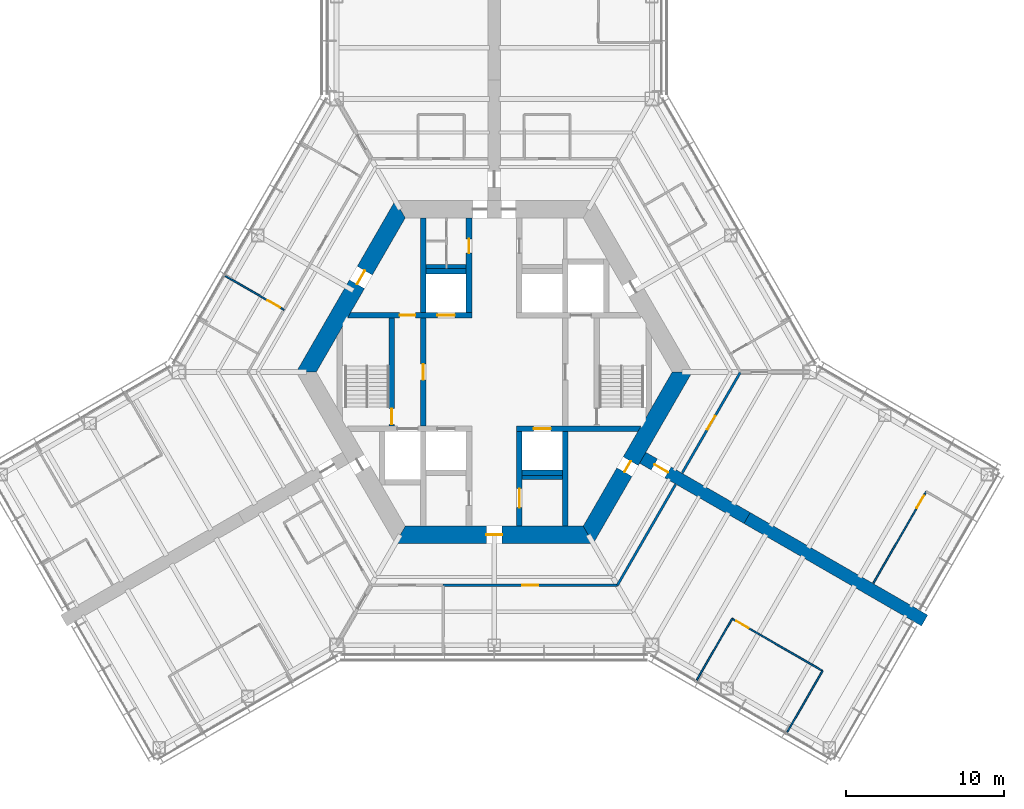
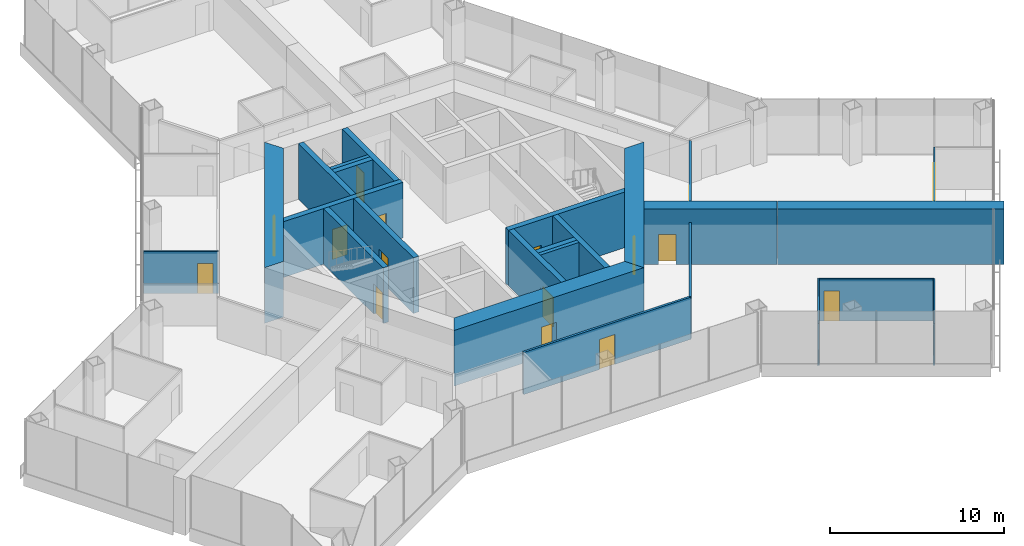
# One storey, part 13 of 18: 25 walls, 16 doors, 16 openings.
"""IFC4 building model written with IfcOpenShell, lengths in metres."""

from ifc_helpers import new_model, si_unit, direction, frame, frame_2d, origin, place, context, subcontext, project, spatial, polyline, rectangle, outline, extrude, material, layer, layer_set, type_object, element, fill, save


model = new_model("IFC4")

# Units and contexts
model_context = context("Model", 3, precision=1e-05, world=origin(), true_north=direction((0.0, 1.0)))
body_context = subcontext(model_context, "Body", "Model", "MODEL_VIEW")
ifc_project = project(units=[si_unit("LENGTHUNIT", "METRE"), si_unit("AREAUNIT", "SQUARE_METRE"), si_unit("VOLUMEUNIT", "CUBIC_METRE"), si_unit("PLANEANGLEUNIT", "RADIAN"), si_unit("MASSUNIT", "GRAM", prefix="KILO")], contexts=[model_context])

# Site, building, storey
site_placement = place(None, origin())
site = spatial("IfcSite", under=ifc_project, at=site_placement, CompositionType="ELEMENT")
building_placement = place(site_placement, origin())
building = spatial("IfcBuilding", under=site, at=building_placement, Name="Kasaneha Research Tower", CompositionType="ELEMENT")
storey_placement = place(building_placement, frame((0.0, 0.0, 72.89990234375)))
storey = spatial("IfcBuildingStorey", under=building, at=storey_placement, Name="L18", CompositionType="ELEMENT", Elevation=72.89990234375)

# Wall, openings, doors
ifc_material_1 = material(Name="Concrete Fc80", Category="concrete")
ifc_layer_1 = layer(ifc_material_1, 0.35009765625)
ifc_layer_set_1 = layer_set([ifc_layer_1], Name="Core internal wall 350 Fc80")
wall_type_1 = type_object("IfcWallType", Name="Core internal wall 350 Fc80", PredefinedType="SHEAR", material=ifc_layer_set_1)
wall_1_placement = place(storey_placement, frame((-9.208740234375, 3.60009765625, 0.0), z_axis=(0.0, 0.0, 1.0), x_axis=(1.0, 0.0, 0.0)))
wall_1 = element("IfcWall", 1, at=wall_1_placement, inside=storey, type_object=wall_type_1, Name="Core wall W1W L18", PredefinedType="SHEAR", context=body_context, shape_type="SweptSolid", body=[
    extrude(outline(polyline([(-0.10107421875, -0.175048828125), (3.208740234375, -0.175048828125), (4.208740234375, -0.175048828125), (5.608642578125, -0.175048828125), (6.708740234375, -0.175048828125), (7.78369140625, -0.175048828125), (7.78369140625, 0.175048828125), (6.708740234375, 0.175048828125), (5.608642578125, 0.175048828125), (4.208740234375, 0.175048828125), (3.208740234375, 0.175048828125), (0.10107421875, 0.175048828125), (-0.10107421875, -0.175048828125)])), origin(), (0.0, 0.0, 1.0), 3.900146484375),
])
opening_1_placement = place(wall_1_placement, frame((3.208740234375, 0.0, 0.0)))
opening_1 = element("IfcOpeningElement", 2, at=opening_1_placement, cuts=wall_1, Name="Opening L18-D12", PredefinedType="OPENING", context=body_context, shape_type="SweptSolid", body=[
    extrude(rectangle(XDim=1.0, YDim=2.10009765625, at=frame_2d((0.5, 1.050048828125))), frame((0.0, 0.18505859375, 0.0), z_axis=(0.0, -1.0, 0.0), x_axis=(1.0, 0.0, 0.0)), (0.0, 0.0, 1.0), 0.3701171875),
])
opening_2_placement = place(wall_1_placement, frame((5.608642578125, 0.0, 0.0)))
opening_2 = element("IfcOpeningElement", 3, at=opening_2_placement, cuts=wall_1, Name="Opening LD-LO1-L18", PredefinedType="OPENING", context=body_context, shape_type="SweptSolid", body=[
    extrude(rectangle(XDim=1.10009765625, YDim=2.10009765625, at=frame_2d((0.550048828125, 1.050048828125))), frame((0.0, 0.18505859375, 0.0), z_axis=(0.0, -1.0, 0.0), x_axis=(1.0, 0.0, 0.0)), (0.0, 0.0, 1.0), 0.3701171875),
])
ifc_material_2 = material(Name="Steel", Category="steel")
door_type_1 = type_object("IfcDoorType", Name="Lift landing door 1100x2100", OperationType="DOUBLE_DOOR_SLIDING", PredefinedType="DOOR", material=ifc_material_2)
door_1_placement = place(opening_2_placement, origin())
door_1 = element("IfcDoor", 4, at=door_1_placement, inside=storey, type_object=door_type_1, Name="Landing door LO1 LD-LO1-L18", OperationType="DOUBLE_DOOR_SLIDING", OverallHeight=2.10009765625, OverallWidth=1.10009765625, PredefinedType="DOOR", context=body_context, shape_type="SweptSolid", body=[
    extrude(rectangle(XDim=1.10009765625, YDim=2.10009765625, at=frame_2d((0.550048828125, 1.050048828125))), frame((0.0, 0.02490234375, 0.0), z_axis=(0.0, -1.0, 0.0), x_axis=(1.0, 0.0, 0.0)), (0.0, 0.0, 1.0), 0.050048828125),
])
fill(opening_2, door_1)
ifc_material_3 = material(Name="Steel", Category="steel")
door_type_2 = type_object("IfcDoorType", Name="Specified fire door FD60 1000x2100", OperationType="NOTDEFINED", PredefinedType="DOOR", material=ifc_material_3)
door_2_placement = place(opening_1_placement, origin())
door_2 = element("IfcDoor", 5, at=door_2_placement, inside=storey, type_object=door_type_2, Name="Vestibule to lobby door L18-D12", OperationType="SINGLE_SWING_RIGHT", OverallHeight=2.10009765625, OverallWidth=1.0, PredefinedType="DOOR", context=body_context, shape_type="SweptSolid", body=[
    extrude(rectangle(XDim=1.0, YDim=2.10009765625, at=frame_2d((0.5, 1.050048828125))), frame((0.0, 0.02490234375, 0.0), z_axis=(0.0, -1.0, 0.0), x_axis=(1.0, 0.0, 0.0)), (0.0, 0.0, 1.0), 0.050048828125),
])
fill(opening_1, door_2)

# Wall, opening, door
wall_2_placement = place(storey_placement, frame((1.425048828125, -3.60009765625, 0.0), z_axis=(0.0, 0.0, 1.0), x_axis=(1.0, 0.0, 0.0)))
wall_2 = element("IfcWall", 6, at=wall_2_placement, inside=storey, type_object=wall_type_1, Name="Core wall W2E L18", PredefinedType="SHEAR", context=body_context, shape_type="SweptSolid", body=[
    extrude(outline(polyline([(0.0, -0.175048828125), (1.074951171875, -0.175048828125), (2.175048828125, -0.175048828125), (7.6826171875, -0.175048828125), (7.884765625, 0.175048828125), (2.175048828125, 0.175048828125), (1.074951171875, 0.175048828125), (0.0, 0.175048828125), (0.0, -0.175048828125)])), origin(), (0.0, 0.0, 1.0), 3.900146484375),
])
opening_3_placement = place(wall_2_placement, frame((1.074951171875, 0.0, 0.0)))
opening_3 = element("IfcOpeningElement", 7, at=opening_3_placement, cuts=wall_2, Name="Opening LD-LO3-L18", PredefinedType="OPENING", context=body_context, shape_type="SweptSolid", body=[
    extrude(rectangle(XDim=1.10009765625, YDim=2.10009765625, at=frame_2d((0.550048828125, 1.050048828125))), frame((0.0, 0.18505859375, 0.0), z_axis=(0.0, -1.0, 0.0), x_axis=(1.0, 0.0, 0.0)), (0.0, 0.0, 1.0), 0.3701171875),
])
door_3_placement = place(opening_3_placement, origin())
door_3 = element("IfcDoor", 8, at=door_3_placement, inside=storey, type_object=door_type_1, Name="Landing door LO3 LD-LO3-L18", OperationType="DOUBLE_DOOR_SLIDING", OverallHeight=2.10009765625, OverallWidth=1.10009765625, PredefinedType="DOOR", context=body_context, shape_type="SweptSolid", body=[
    extrude(rectangle(XDim=1.10009765625, YDim=2.10009765625, at=frame_2d((0.550048828125, 1.050048828125))), frame((0.0, 0.02490234375, 0.0), z_axis=(0.0, -1.0, 0.0), x_axis=(1.0, 0.0, 0.0)), (0.0, 0.0, 1.0), 0.050048828125),
])
fill(opening_3, door_3)

wall_3_placement = place(storey_placement, frame((-1.60009765625, 3.77490234375, 0.0), z_axis=(0.0, 0.0, 1.0), x_axis=(0.0, 1.0, 0.0)))
wall_3 = element("IfcWall", 9, at=wall_3_placement, inside=storey, type_object=wall_type_1, Name="Core wall CNW L18", PredefinedType="SHEAR", context=body_context, shape_type="SweptSolid", body=[
    extrude(rectangle(XDim=6.0, YDim=0.35009765625, at=frame_2d((3.0, 0.0))), origin(), (0.0, 0.0, 1.0), 3.900146484375),
])
opening_4_placement = place(wall_3_placement, frame((3.77490234375, 0.0, 0.0)))
opening_4 = element("IfcOpeningElement", 10, at=opening_4_placement, cuts=wall_3, Name="Opening L18-D13", PredefinedType="OPENING", context=body_context, shape_type="SweptSolid", body=[
    extrude(rectangle(XDim=0.89990234375, YDim=2.10009765625, at=frame_2d((0.449951171875, 1.050048828125))), frame((0.0, 0.18505859375, 0.0), z_axis=(0.0, -1.0, 0.0), x_axis=(1.0, 0.0, 0.0)), (0.0, 0.0, 1.0), 0.3701171875),
])
ifc_material_4 = material(Name="Steel", Category="steel")
door_type_3 = type_object("IfcDoorType", Name="Toilet door FD20 900x2100", OperationType="NOTDEFINED", PredefinedType="DOOR", material=ifc_material_4)
door_4_placement = place(opening_4_placement, origin())
door_4 = element("IfcDoor", 11, at=door_4_placement, inside=storey, type_object=door_type_3, Name="Men's WC door L18-D13", OperationType="SINGLE_SWING_LEFT", OverallHeight=2.10009765625, OverallWidth=0.89990234375, PredefinedType="DOOR", context=body_context, shape_type="SweptSolid", body=[
    extrude(rectangle(XDim=0.89990234375, YDim=2.10009765625, at=frame_2d((0.449951171875, 1.050048828125))), frame((0.0, 0.02490234375, 0.0), z_axis=(0.0, -1.0, 0.0), x_axis=(1.0, 0.0, 0.0)), (0.0, 0.0, 1.0), 0.050048828125),
])
fill(opening_4, door_4)

wall_4_placement = place(storey_placement, frame((1.60009765625, -3.77490234375, 0.0), z_axis=(0.0, 0.0, 1.0), x_axis=(0.0, -1.0, 0.0)))
wall_4 = element("IfcWall", 12, at=wall_4_placement, inside=storey, type_object=wall_type_1, Name="Core wall CSE L18", PredefinedType="SHEAR", context=body_context, shape_type="SweptSolid", body=[
    extrude(rectangle(XDim=6.0, YDim=0.35009765625, at=frame_2d((3.0, 0.0))), origin(), (0.0, 0.0, 1.0), 3.900146484375),
])
opening_5_placement = place(wall_4_placement, frame((3.625, 0.0, 0.0)))
opening_5 = element("IfcOpeningElement", 13, at=opening_5_placement, cuts=wall_4, Name="Opening L18-D15", PredefinedType="OPENING", context=body_context, shape_type="SweptSolid", body=[
    extrude(rectangle(XDim=1.199951171875, YDim=2.10009765625, at=frame_2d((0.60009765625, 1.050048828125))), frame((0.0, 0.18505859375, 0.0), z_axis=(0.0, -1.0, 0.0), x_axis=(1.0, 0.0, 0.0)), (0.0, 0.0, 1.0), 0.3701171875),
])
ifc_material_5 = material(Name="Steel", Category="steel")
door_type_4 = type_object("IfcDoorType", Name="Accessible toilet sliding door FD20 1200x2100", OperationType="SLIDING_TO_LEFT", PredefinedType="DOOR", material=ifc_material_5)
door_5_placement = place(opening_5_placement, origin())
door_5 = element("IfcDoor", 14, at=door_5_placement, inside=storey, type_object=door_type_4, Name="Accessible WC door L18-D15", OperationType="SLIDING_TO_LEFT", OverallHeight=2.10009765625, OverallWidth=1.199951171875, PredefinedType="DOOR", context=body_context, shape_type="SweptSolid", body=[
    extrude(rectangle(XDim=1.199951171875, YDim=2.10009765625, at=frame_2d((0.60009765625, 1.050048828125))), frame((0.0, 0.02490234375, 0.0), z_axis=(0.0, -1.0, 0.0), x_axis=(1.0, 0.0, 0.0)), (0.0, 0.0, 1.0), 0.050048828125),
])
fill(opening_5, door_5)

wall_5_placement = place(storey_placement, frame((-4.5, -3.425048828125, 0.0), z_axis=(0.0, 0.0, 1.0), x_axis=(0.0, 1.0, 0.0)))
wall_5 = element("IfcWall", 15, at=wall_5_placement, inside=storey, type_object=wall_type_1, Name="Core wall LBW L18", PredefinedType="SHEAR", context=body_context, shape_type="SweptSolid", body=[
    extrude(rectangle(XDim=6.85009765625, YDim=0.35009765625, at=frame_2d((3.425048828125, 0.0))), origin(), (0.0, 0.0, 1.0), 3.900146484375),
])
opening_6_placement = place(wall_5_placement, frame((2.925048828125, 0.0, 0.0)))
opening_6 = element("IfcOpeningElement", 16, at=opening_6_placement, cuts=wall_5, Name="Opening L18-D09", PredefinedType="OPENING", context=body_context, shape_type="SweptSolid", body=[
    extrude(rectangle(XDim=1.0, YDim=2.10009765625, at=frame_2d((0.5, 1.050048828125))), frame((0.0, 0.18505859375, 0.0), z_axis=(0.0, -1.0, 0.0), x_axis=(1.0, 0.0, 0.0)), (0.0, 0.0, 1.0), 0.3701171875),
])
door_6_placement = place(opening_6_placement, origin())
door_6 = element("IfcDoor", 17, at=door_6_placement, inside=storey, type_object=door_type_2, Name="Lift lobby door west L18-D09", OperationType="SINGLE_SWING_LEFT", OverallHeight=2.10009765625, OverallWidth=1.0, PredefinedType="DOOR", context=body_context, shape_type="SweptSolid", body=[
    extrude(rectangle(XDim=1.0, YDim=2.10009765625, at=frame_2d((0.5, 1.050048828125))), frame((0.0, 0.02490234375, 0.0), z_axis=(0.0, -1.0, 0.0), x_axis=(1.0, 0.0, 0.0)), (0.0, 0.0, 1.0), 0.050048828125),
])
fill(opening_6, door_6)

wall_6_placement = place(storey_placement, frame((-6.5, -3.425048828125, 0.0), z_axis=(0.0, 0.0, 1.0), x_axis=(0.0, 1.0, 0.0)))
wall_6 = element("IfcWall", 18, at=wall_6_placement, inside=storey, type_object=wall_type_1, Name="Core wall ANW L18", PredefinedType="SHEAR", context=body_context, shape_type="SweptSolid", body=[
    extrude(rectangle(XDim=6.85009765625, YDim=0.35009765625, at=frame_2d((3.425048828125, 0.0))), origin(), (0.0, 0.0, 1.0), 3.900146484375),
])
opening_7_placement = place(wall_6_placement, frame((0.10009765625, 0.0, 0.0)))
opening_7 = element("IfcOpeningElement", 19, at=opening_7_placement, cuts=wall_6, Name="Opening L18-D11", PredefinedType="OPENING", context=body_context, shape_type="SweptSolid", body=[
    extrude(rectangle(XDim=1.0, YDim=2.10009765625, at=frame_2d((0.5, 1.050048828125))), frame((0.0, 0.18505859375, 0.0), z_axis=(0.0, -1.0, 0.0), x_axis=(1.0, 0.0, 0.0)), (0.0, 0.0, 1.0), 0.3701171875),
])
door_7_placement = place(opening_7_placement, origin())
door_7 = element("IfcDoor", 20, at=door_7_placement, inside=storey, type_object=door_type_2, Name="Stair 2 door L18-D11", OperationType="SINGLE_SWING_LEFT", OverallHeight=2.10009765625, OverallWidth=1.0, PredefinedType="DOOR", context=body_context, shape_type="SweptSolid", body=[
    extrude(rectangle(XDim=1.0, YDim=2.10009765625, at=frame_2d((0.5, 1.050048828125))), frame((0.0, 0.02490234375, 0.0), z_axis=(0.0, -1.0, 0.0), x_axis=(1.0, 0.0, 0.0)), (0.0, 0.0, 1.0), 0.050048828125),
])
fill(opening_7, door_7)

# Walls
for number, where, z_axis, x_axis, name in (
    (21, (-4.5, 3.77490234375, 0.0), (0.0, 0.0, 1.0), (0.0, 1.0, 0.0), "Core wall VNW L18"),
    (22, (4.5, -3.77490234375, 0.0), (0.0, 0.0, 1.0), (0.0, -1.0, 0.0), "Core wall SSE L18"),
):
    element("IfcWall", number, at=place(storey_placement, frame(where, z_axis=z_axis, x_axis=x_axis)), inside=storey, type_object=wall_type_1, Name=name, PredefinedType="SHEAR", context=body_context, shape_type="SweptSolid", body=[
        extrude(rectangle(XDim=6.0, YDim=0.35009765625, at=frame_2d((3.0, 0.0))), origin(), (0.0, 0.0, 1.0), 3.900146484375),
    ])
for number, where, z_axis, x_axis, name in (
    (23, (-4.324951171875, 6.39990234375, 0.0), (0.0, 0.0, 1.0), (1.0, 0.0, 0.0), "Core wall N1N L18"),
    (24, (1.77490234375, -6.39990234375, 0.0), (0.0, 0.0, 1.0), (1.0, 0.0, 0.0), "Core wall S3S L18"),
):
    element("IfcWall", number, at=place(storey_placement, frame(where, z_axis=z_axis, x_axis=x_axis)), inside=storey, type_object=wall_type_1, Name=name, PredefinedType="SHEAR", context=body_context, shape_type="SweptSolid", body=[
        extrude(rectangle(XDim=2.550048828125, YDim=0.35009765625, at=frame_2d((1.27490234375, 0.0))), origin(), (0.0, 0.0, 1.0), 3.900146484375),
    ])

# Wall, opening, door
ifc_material_6 = material(Name="Concrete Fc80", Category="concrete")
ifc_layer_2 = layer(ifc_material_6, 1.10009765625)
ifc_layer_set_2 = layer_set([ifc_layer_2], Name="Core wall 1100 Fc80")
wall_type_2 = type_object("IfcWallType", Name="Core wall 1100 Fc80", PredefinedType="SHEAR", material=ifc_layer_set_2)
wall_7_placement = place(storey_placement, frame((-5.961181640625, 10.324951171875, 0.0), z_axis=(0.0, 0.0, 1.0), x_axis=(-0.500004296715, -0.866022923061, 0.0)))
wall_7 = element("IfcWall", 25, at=wall_7_placement, inside=storey, type_object=wall_type_2, Name="Core wall 150 L18", PredefinedType="SHEAR", context=body_context, shape_type="SweptSolid", body=[
    extrude(outline(polyline([(-0.317626953125, -0.550048828125), (4.494140625, -0.550048828125), (5.494140625, -0.550048828125), (12.239990234375, -0.550048828125), (11.604736328125, 0.550048828125), (5.494140625, 0.550048828125), (4.494140625, 0.550048828125), (0.317626953125, 0.550048828125), (-0.317626953125, -0.550048828125)])), origin(), (0.0, 0.0, 1.0), 3.900146484375),
])
opening_8_placement = place(wall_7_placement, frame((4.494140625, 0.0, 0.0)))
opening_8 = element("IfcOpeningElement", 26, at=opening_8_placement, cuts=wall_7, Name="Opening L18-D07", PredefinedType="OPENING", context=body_context, shape_type="SweptSolid", body=[
    extrude(rectangle(XDim=1.0, YDim=2.10009765625, at=frame_2d((0.5, 1.050048828125))), frame((0.0, 0.56005859375, 0.0), z_axis=(0.0, -1.0, 0.0), x_axis=(1.0, 0.0, 0.0)), (0.0, 0.0, 1.0), 1.1201171875),
])
ifc_material_7 = material(Name="Steel", Category="steel")
door_type_5 = type_object("IfcDoorType", Name="Fire door FD20 1000x2100", OperationType="NOTDEFINED", PredefinedType="DOOR", material=ifc_material_7)
door_8_placement = place(opening_8_placement, origin())
door_8 = element("IfcDoor", 27, at=door_8_placement, inside=storey, type_object=door_type_5, Name="Vestibule door L18-D07", OperationType="SINGLE_SWING_LEFT", OverallHeight=2.10009765625, OverallWidth=1.0, PredefinedType="DOOR", context=body_context, shape_type="SweptSolid", body=[
    extrude(rectangle(XDim=1.0, YDim=2.10009765625, at=frame_2d((0.5, 1.050048828125))), frame((0.0, 0.02490234375, 0.0), z_axis=(0.0, -1.0, 0.0), x_axis=(1.0, 0.0, 0.0)), (0.0, 0.0, 1.0), 0.050048828125),
])
fill(opening_8, door_8)

wall_8_placement = place(storey_placement, frame((-5.961181640625, -10.324951171875, 0.0), z_axis=(0.0, 0.0, 1.0), x_axis=(1.0, 0.0, 0.0)))
wall_8 = element("IfcWall", 28, at=wall_8_placement, inside=storey, type_object=wall_type_2, Name="Core wall 270 L18", PredefinedType="SHEAR", context=body_context, shape_type="SweptSolid", body=[
    extrude(outline(polyline([(-0.317626953125, -0.550048828125), (5.461181640625, -0.550048828125), (6.461181640625, -0.550048828125), (12.239990234375, -0.550048828125), (11.604736328125, 0.550048828125), (6.461181640625, 0.550048828125), (5.461181640625, 0.550048828125), (0.317626953125, 0.550048828125), (-0.317626953125, -0.550048828125)])), origin(), (0.0, 0.0, 1.0), 3.900146484375),
])
opening_9_placement = place(wall_8_placement, frame((5.461181640625, 0.0, 0.0)))
opening_9 = element("IfcOpeningElement", 29, at=opening_9_placement, cuts=wall_8, Name="Opening L18-D03", PredefinedType="OPENING", context=body_context, shape_type="SweptSolid", body=[
    extrude(rectangle(XDim=1.0, YDim=2.10009765625, at=frame_2d((0.5, 1.050048828125))), frame((0.0, 0.56005859375, 0.0), z_axis=(0.0, -1.0, 0.0), x_axis=(1.0, 0.0, 0.0)), (0.0, 0.0, 1.0), 1.1201171875),
])
door_9_placement = place(opening_9_placement, origin())
door_9 = element("IfcDoor", 30, at=door_9_placement, inside=storey, type_object=door_type_5, Name="Core door south L18-D03", OperationType="SINGLE_SWING_LEFT", OverallHeight=2.10009765625, OverallWidth=1.0, PredefinedType="DOOR", context=body_context, shape_type="SweptSolid", body=[
    extrude(rectangle(XDim=1.0, YDim=2.10009765625, at=frame_2d((0.5, 1.050048828125))), frame((0.0, 0.02490234375, 0.0), z_axis=(0.0, -1.0, 0.0), x_axis=(1.0, 0.0, 0.0)), (0.0, 0.0, 1.0), 0.050048828125),
])
fill(opening_9, door_9)

wall_9_placement = place(storey_placement, frame((5.961181640625, -10.324951171875, 0.0), z_axis=(0.0, 0.0, 1.0), x_axis=(0.500004296715, 0.866022923061, 0.0)))
wall_9 = element("IfcWall", 31, at=wall_9_placement, inside=storey, type_object=wall_type_2, Name="Core wall 330 L18", PredefinedType="SHEAR", context=body_context, shape_type="SweptSolid", body=[
    extrude(outline(polyline([(-0.317626953125, -0.550048828125), (4.593994140625, -0.550048828125), (5.39404296875, -0.550048828125), (12.239990234375, -0.550048828125), (11.604736328125, 0.550048828125), (5.39404296875, 0.550048828125), (4.593994140625, 0.550048828125), (0.317626953125, 0.550048828125), (-0.317626953125, -0.550048828125)])), origin(), (0.0, 0.0, 1.0), 3.900146484375),
])
opening_10_placement = place(wall_9_placement, frame((4.593994140625, 0.0, 0.0)))
opening_10 = element("IfcOpeningElement", 32, at=opening_10_placement, cuts=wall_9, Name="Opening L18-D05", PredefinedType="OPENING", context=body_context, shape_type="SweptSolid", body=[
    extrude(rectangle(XDim=0.800048828125, YDim=2.10009765625, at=frame_2d((0.39990234375, 1.050048828125))), frame((0.0, 0.56005859375, 0.0), z_axis=(0.0, -1.0, 0.0), x_axis=(1.0, 0.0, 0.0)), (0.0, 0.0, 1.0), 1.1201171875),
])
ifc_material_8 = material(Name="Steel", Category="steel")
door_type_6 = type_object("IfcDoorType", Name="Riser access door FD60 800x2100", OperationType="NOTDEFINED", PredefinedType="DOOR", material=ifc_material_8)
door_10_placement = place(opening_10_placement, origin())
door_10 = element("IfcDoor", 33, at=door_10_placement, inside=storey, type_object=door_type_6, Name="Pipe riser door L18-D05", OperationType="SINGLE_SWING_LEFT", OverallHeight=2.10009765625, OverallWidth=0.800048828125, PredefinedType="DOOR", context=body_context, shape_type="SweptSolid", body=[
    extrude(rectangle(XDim=0.800048828125, YDim=2.10009765625, at=frame_2d((0.39990234375, 1.050048828125))), frame((0.0, 0.02490234375, 0.0), z_axis=(0.0, -1.0, 0.0), x_axis=(1.0, 0.0, 0.0)), (0.0, 0.0, 1.0), 0.050048828125),
])
fill(opening_10, door_10)

ifc_material_9 = material(Name="Gypsum board on steel studs, one layer each side", Category="steel")
ifc_layer_3 = layer(ifc_material_9, 0.10009765625)
ifc_layer_set_3 = layer_set([ifc_layer_3], Name="Office partition 100")
wall_type_3 = type_object("IfcWallType", Name="Office partition 100", PredefinedType="PARTITIONING", material=ifc_layer_set_3)
wall_10_placement = place(storey_placement, frame((-17.05615234375, 6.098876953125, 0.0), z_axis=(0.0, 0.0, 1.0), x_axis=(0.865505397626, -0.500899597405, 0.0)))
wall_10 = element("IfcWall", 34, at=wall_10_placement, inside=storey, type_object=wall_type_3, Name="Office partition FBN07 L18", PredefinedType="PARTITIONING", context=body_context, shape_type="SweptSolid", body=[
    extrude(rectangle(XDim=4.29541015625, YDim=0.10009765625, at=frame_2d((2.147705078125, 0.0))), origin(), (0.0, 0.0, 1.0), 2.9501953125),
])
opening_11_placement = place(wall_10_placement, frame((3.095458984375, 0.0, 0.0)))
opening_11 = element("IfcOpeningElement", 35, at=opening_11_placement, cuts=wall_10, Name="Opening L18-D37", PredefinedType="OPENING", context=body_context, shape_type="SweptSolid", body=[
    extrude(rectangle(XDim=0.89990234375, YDim=2.10009765625, at=frame_2d((0.449951171875, 1.050048828125))), frame((0.0, 0.06005859375, 0.0), z_axis=(0.0, -1.0, 0.0), x_axis=(1.0, 0.0, 0.0)), (0.0, 0.0, 1.0), 0.1201171875),
])
ifc_material_10 = material(Name="Timber veneer", Category="wood")
door_type_7 = type_object("IfcDoorType", Name="Office door 900x2100", OperationType="SINGLE_SWING_LEFT", PredefinedType="DOOR", material=ifc_material_10)
door_11_placement = place(opening_11_placement, origin())
door_11 = element("IfcDoor", 36, at=door_11_placement, inside=storey, type_object=door_type_7, Name="Interview room door L18-D37", OperationType="SINGLE_SWING_RIGHT", OverallHeight=2.10009765625, OverallWidth=0.89990234375, PredefinedType="DOOR", context=body_context, shape_type="SweptSolid", body=[
    extrude(rectangle(XDim=0.89990234375, YDim=2.10009765625, at=frame_2d((0.449951171875, 1.050048828125))), frame((0.0, 0.02490234375, 0.0), z_axis=(0.0, -1.0, 0.0), x_axis=(1.0, 0.0, 0.0)), (0.0, 0.0, 1.0), 0.050048828125),
])
fill(opening_11, door_11)

wall_11_placement = place(storey_placement, frame((24.04345703125, -13.396484375, 0.0), z_axis=(0.0, 0.0, 1.0), x_axis=(0.499999473313, 0.866025707867, 0.0)))
wall_11 = element("IfcWall", 37, at=wall_11_placement, inside=storey, type_object=wall_type_3, Name="Office partition FCE02 L18", PredefinedType="PARTITIONING", context=body_context, shape_type="SweptSolid", body=[
    extrude(rectangle(XDim=6.71337890625, YDim=0.10009765625, at=frame_2d((3.356689453125, 0.0))), origin(), (0.0, 0.0, 1.0), 2.9501953125),
])
opening_12_placement = place(wall_11_placement, frame((5.51318359375, 0.0, 0.0)))
opening_12 = element("IfcOpeningElement", 38, at=opening_12_placement, cuts=wall_11, Name="Opening L18-D45", PredefinedType="OPENING", context=body_context, shape_type="SweptSolid", body=[
    extrude(rectangle(XDim=0.89990234375, YDim=2.10009765625, at=frame_2d((0.449951171875, 1.050048828125))), frame((0.0, 0.06005859375, 0.0), z_axis=(0.0, -1.0, 0.0), x_axis=(1.0, 0.0, 0.0)), (0.0, 0.0, 1.0), 0.1201171875),
])
door_12_placement = place(opening_12_placement, origin())
door_12 = element("IfcDoor", 39, at=door_12_placement, inside=storey, type_object=door_type_7, Name="Manager's office door L18-D45", OperationType="SINGLE_SWING_RIGHT", OverallHeight=2.10009765625, OverallWidth=0.89990234375, PredefinedType="DOOR", context=body_context, shape_type="SweptSolid", body=[
    extrude(rectangle(XDim=0.89990234375, YDim=2.10009765625, at=frame_2d((0.449951171875, 1.050048828125))), frame((0.0, 0.02490234375, 0.0), z_axis=(0.0, -1.0, 0.0), x_axis=(1.0, 0.0, 0.0)), (0.0, 0.0, 1.0), 0.050048828125),
])
fill(opening_12, door_12)

# Wall
wall_12_placement = place(storey_placement, frame((12.84228515625, -19.538818359375, 0.0), z_axis=(0.0, 0.0, 1.0), x_axis=(0.499990139034, 0.866031096941, 0.0)))
element("IfcWall", 40, at=wall_12_placement, inside=storey, type_object=wall_type_3, Name="Office partition FCS04 L18", PredefinedType="PARTITIONING", context=body_context, shape_type="SweptSolid", body=[
    extrude(rectangle(XDim=4.5, YDim=0.10009765625, at=frame_2d((2.25, 0.0))), origin(), (0.0, 0.0, 1.0), 2.9501953125),
])

# Wall, opening, door
wall_13_placement = place(storey_placement, frame((15.09228515625, -15.6416015625, 0.0), z_axis=(0.0, 0.0, 1.0), x_axis=(0.866021597574, -0.500006592492, 0.0)))
wall_13 = element("IfcWall", 41, at=wall_13_placement, inside=storey, type_object=wall_type_3, Name="Office partition FCS05 L18", PredefinedType="PARTITIONING", context=body_context, shape_type="SweptSolid", body=[
    extrude(rectangle(XDim=6.61962890625, YDim=0.10009765625, at=frame_2d((3.309814453125, 0.0))), origin(), (0.0, 0.0, 1.0), 2.9501953125),
])
opening_13_placement = place(wall_13_placement, frame((0.300048828125, 0.0, 0.0)))
opening_13 = element("IfcOpeningElement", 42, at=opening_13_placement, cuts=wall_13, Name="Opening L18-D48", PredefinedType="OPENING", context=body_context, shape_type="SweptSolid", body=[
    extrude(rectangle(XDim=0.89990234375, YDim=2.10009765625, at=frame_2d((0.449951171875, 1.050048828125))), frame((0.0, 0.06005859375, 0.0), z_axis=(0.0, -1.0, 0.0), x_axis=(1.0, 0.0, 0.0)), (0.0, 0.0, 1.0), 0.1201171875),
])
door_13_placement = place(opening_13_placement, origin())
door_13 = element("IfcDoor", 43, at=door_13_placement, inside=storey, type_object=door_type_7, Name="Project room door L18-D48", OperationType="SINGLE_SWING_LEFT", OverallHeight=2.10009765625, OverallWidth=0.89990234375, PredefinedType="DOOR", context=body_context, shape_type="SweptSolid", body=[
    extrude(rectangle(XDim=0.89990234375, YDim=2.10009765625, at=frame_2d((0.449951171875, 1.050048828125))), frame((0.0, 0.02490234375, 0.0), z_axis=(0.0, -1.0, 0.0), x_axis=(1.0, 0.0, 0.0)), (0.0, 0.0, 1.0), 0.050048828125),
])
fill(opening_13, door_13)

# Wall
wall_14_placement = place(storey_placement, frame((20.824951171875, -18.951416015625, 0.0), z_axis=(0.0, 0.0, 1.0), x_axis=(-0.499989762656, -0.866031314237, 0.0)))
element("IfcWall", 44, at=wall_14_placement, inside=storey, type_object=wall_type_3, Name="Office partition FCS06 L18", PredefinedType="PARTITIONING", context=body_context, shape_type="SweptSolid", body=[
    extrude(rectangle(XDim=4.47998046875, YDim=0.10009765625, at=frame_2d((2.239990234375, 0.0))), origin(), (0.0, 0.0, 1.0), 2.9501953125),
])

# Wall, opening, door
ifc_material_11 = material(Name="Concrete Fc80", Category="concrete")
ifc_layer_4 = layer(ifc_material_11, 0.800048828125)
ifc_layer_set_4 = layer_set([ifc_layer_4], Name="Spine wall 800 Fc80")
wall_type_4 = type_object("IfcWallType", Name="Spine wall 800 Fc80", PredefinedType="SHEAR", material=ifc_layer_set_4)
wall_15_placement = place(storey_placement, frame((9.41796875, -5.4375, 0.0), z_axis=(0.0, 0.0, 1.0), x_axis=(0.866029782078, -0.499992416496, 0.0)))
wall_15 = element("IfcWall", 45, at=wall_15_placement, inside=storey, type_object=wall_type_4, Name="Spine wall C L18", PredefinedType="SHEAR", context=body_context, shape_type="SweptSolid", body=[
    extrude(rectangle(XDim=7.6455078125, YDim=0.800048828125, at=frame_2d((3.82275390625, 0.0))), origin(), (0.0, 0.0, 1.0), 3.900146484375),
])
opening_14_placement = place(wall_15_placement, frame((0.85009765625, 0.0, 0.0)))
opening_14 = element("IfcOpeningElement", 46, at=opening_14_placement, cuts=wall_15, Name="Opening L18-D19", PredefinedType="OPENING", context=body_context, shape_type="SweptSolid", body=[
    extrude(rectangle(XDim=1.0, YDim=2.10009765625, at=frame_2d((0.5, 1.050048828125))), frame((0.0, 0.41015625, 0.0), z_axis=(0.0, -1.0, 0.0), x_axis=(1.0, 0.0, 0.0)), (0.0, 0.0, 1.0), 0.820068359375),
])
door_14_placement = place(opening_14_placement, origin())
door_14 = element("IfcDoor", 47, at=door_14_placement, inside=storey, type_object=door_type_2, Name="Spine doorway C L18-D19", OperationType="SINGLE_SWING_LEFT", OverallHeight=2.10009765625, OverallWidth=1.0, PredefinedType="DOOR", context=body_context, shape_type="SweptSolid", body=[
    extrude(rectangle(XDim=1.0, YDim=2.10009765625, at=frame_2d((0.5, 1.050048828125))), frame((0.0, 0.02490234375, 0.0), z_axis=(0.0, -1.0, 0.0), x_axis=(1.0, 0.0, 0.0)), (0.0, 0.0, 1.0), 0.050048828125),
])
fill(opening_14, door_14)

# Wall
wall_16_placement = place(storey_placement, frame((16.039306640625, -9.26025390625, 0.0), z_axis=(0.0, 0.0, 1.0), x_axis=(0.866024837091, -0.50000098154, 0.0)))
element("IfcWall", 48, at=wall_16_placement, inside=storey, type_object=wall_type_4, Name="Spine wall C wing L18", PredefinedType="SHEAR", context=body_context, shape_type="SweptSolid", body=[
    extrude(rectangle(XDim=13.0, YDim=0.800048828125, at=frame_2d((6.5, 0.0))), origin(), (0.0, 0.0, 1.0), 3.900146484375),
])

# Wall, opening, door
ifc_material_12 = material(Name="Gypsum board on steel studs, two layers each side", Category="steel")
ifc_layer_5 = layer(ifc_material_12, 0.14990234375)
ifc_layer_set_5 = layer_set([ifc_layer_5], Name="Suite partition 150")
wall_type_5 = type_object("IfcWallType", Name="Suite partition 150", PredefinedType="PARTITIONING", material=ifc_layer_set_5)
wall_17_placement = place(storey_placement, frame((15.605712890625, -0.02001953125, 0.0), z_axis=(0.0, 0.0, 1.0), x_axis=(-0.499989298045, -0.866031582473, 0.0)))
wall_17 = element("IfcWall", 49, at=wall_17_placement, inside=storey, type_object=wall_type_5, Name="Suite partition FCE01 L18", PredefinedType="PARTITIONING", context=body_context, shape_type="SweptSolid", body=[
    extrude(rectangle(XDim=7.365478515625, YDim=0.14990234375, at=frame_2d((3.6826171875, 0.0))), origin(), (0.0, 0.0, 1.0), 2.9501953125),
])
opening_15_placement = place(wall_17_placement, frame((3.182861328125, 0.0, 0.0)))
opening_15 = element("IfcOpeningElement", 50, at=opening_15_placement, cuts=wall_17, Name="Opening L18-D44", PredefinedType="OPENING", context=body_context, shape_type="SweptSolid", body=[
    extrude(rectangle(XDim=1.0, YDim=2.10009765625, at=frame_2d((0.5, 1.050048828125))), frame((0.0, 0.0849609375, 0.0), z_axis=(0.0, -1.0, 0.0), x_axis=(1.0, 0.0, 0.0)), (0.0, 0.0, 1.0), 0.169921875),
])
ifc_material_13 = material(Name="Steel", Category="steel")
door_type_8 = type_object("IfcDoorType", Name="Suite entrance door FD60 1000x2100", OperationType="NOTDEFINED", PredefinedType="DOOR", material=ifc_material_13)
door_15_placement = place(opening_15_placement, origin())
door_15 = element("IfcDoor", 51, at=door_15_placement, inside=storey, type_object=door_type_8, Name="Suite entrance door L18-D44", OperationType="SINGLE_SWING_RIGHT", OverallHeight=2.10009765625, OverallWidth=1.0, PredefinedType="DOOR", context=body_context, shape_type="SweptSolid", body=[
    extrude(rectangle(XDim=1.0, YDim=2.10009765625, at=frame_2d((0.5, 1.050048828125))), frame((0.0, 0.02490234375, 0.0), z_axis=(0.0, -1.0, 0.0), x_axis=(1.0, 0.0, 0.0)), (0.0, 0.0, 1.0), 0.050048828125),
])
fill(opening_15, door_15)

wall_18_placement = place(storey_placement, frame((7.80859375, -13.52490234375, 0.0), z_axis=(0.0, 0.0, 1.0), x_axis=(-1.0, 0.0, 0.0)))
wall_18 = element("IfcWall", 52, at=wall_18_placement, inside=storey, type_object=wall_type_5, Name="Suite partition FCS01 L18", PredefinedType="PARTITIONING", context=body_context, shape_type="SweptSolid", body=[
    extrude(rectangle(XDim=11.06005859375, YDim=0.14990234375, at=frame_2d((5.530029296875, 0.0))), origin(), (0.0, 0.0, 1.0), 2.9501953125),
])
opening_16_placement = place(wall_18_placement, frame((5.030029296875, 0.0, 0.0)))
opening_16 = element("IfcOpeningElement", 53, at=opening_16_placement, cuts=wall_18, Name="Opening L18-D46", PredefinedType="OPENING", context=body_context, shape_type="SweptSolid", body=[
    extrude(rectangle(XDim=1.0, YDim=2.10009765625, at=frame_2d((0.5, 1.050048828125))), frame((0.0, 0.0849609375, 0.0), z_axis=(0.0, -1.0, 0.0), x_axis=(1.0, 0.0, 0.0)), (0.0, 0.0, 1.0), 0.169921875),
])
door_16_placement = place(opening_16_placement, origin())
door_16 = element("IfcDoor", 54, at=door_16_placement, inside=storey, type_object=door_type_8, Name="Suite entrance door L18-D46", OperationType="SINGLE_SWING_RIGHT", OverallHeight=2.10009765625, OverallWidth=1.0, PredefinedType="DOOR", context=body_context, shape_type="SweptSolid", body=[
    extrude(rectangle(XDim=1.0, YDim=2.10009765625, at=frame_2d((0.5, 1.050048828125))), frame((0.0, 0.02490234375, 0.0), z_axis=(0.0, -1.0, 0.0), x_axis=(1.0, 0.0, 0.0)), (0.0, 0.0, 1.0), 0.050048828125),
])
fill(opening_16, door_16)

# Walls
wall_19_placement = place(storey_placement, frame((11.5029296875, -7.126220703125, 0.0), z_axis=(0.0, 0.0, 1.0), x_axis=(-0.500005620463, -0.866022158784, 0.0)))
element("IfcWall", 55, at=wall_19_placement, inside=storey, type_object=wall_type_5, Name="Suite partition FCS02 L18", PredefinedType="PARTITIONING", context=body_context, shape_type="SweptSolid", body=[
    extrude(rectangle(XDim=7.388671875, YDim=0.14990234375, at=frame_2d((3.6943359375, 0.0))), origin(), (0.0, 0.0, 1.0), 2.9501953125),
])
ifc_material_14 = material(Name="Concrete block lining", Category="concrete")
ifc_layer_6 = layer(ifc_material_14, 0.25)
ifc_layer_set_6 = layer_set([ifc_layer_6], Name="WC plumbing wall 250")
wall_type_6 = type_object("IfcWallType", Name="WC plumbing wall 250", PredefinedType="PLUMBINGWALL", material=ifc_layer_set_6)
for number, where, z_axis, x_axis, name in (
    (56, (-4.324951171875, 6.699951171875, 0.0), (0.0, 0.0, 1.0), (1.0, 0.0, 0.0), "WC plumbing wall M L18"),
    (57, (1.77490234375, -6.699951171875, 0.0), (0.0, 0.0, 1.0), (1.0, 0.0, 0.0), "WC plumbing wall A L18"),
):
    element("IfcWall", number, at=place(storey_placement, frame(where, z_axis=z_axis, x_axis=x_axis)), inside=storey, type_object=wall_type_6, Name=name, PredefinedType="PLUMBINGWALL", context=body_context, shape_type="SweptSolid", body=[
        extrude(rectangle(XDim=2.550048828125, YDim=0.25, at=frame_2d((1.27490234375, 0.0))), origin(), (0.0, 0.0, 1.0), 3.900146484375),
    ])

save(model, "model.ifc")
